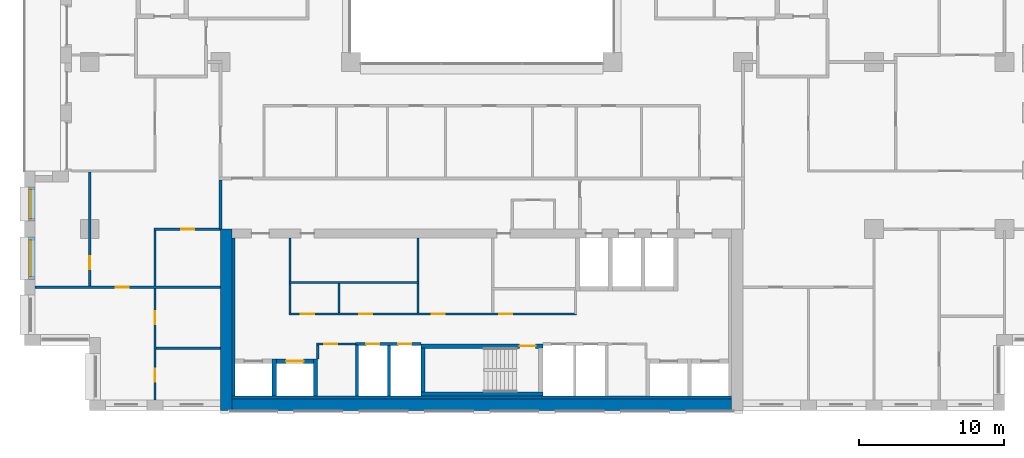
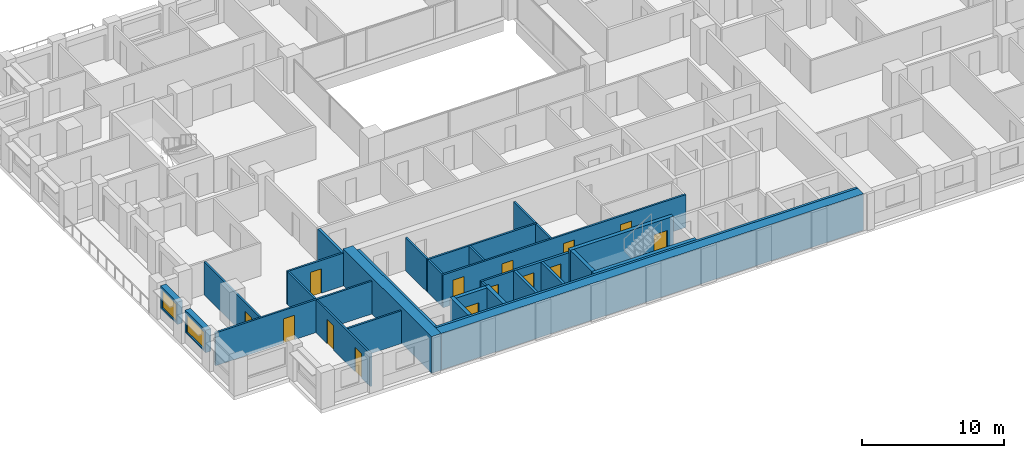
# One storey, part 8 of 17: 31 walls, 14 doors, 2 windows, 16 openings.
"""IFC4 building model written with IfcOpenShell, lengths in metres."""

from ifc_helpers import new_model, si_unit, direction, frame, frame_2d, origin, place, context, subcontext, project, spatial, rectangle, extrude, material, layer, layer_set, type_object, element, fill, save


model = new_model("IFC4")

# Units and contexts
model_context = context("Model", 3, precision=1e-05, world=origin(), true_north=direction((0.0, 1.0)))
body_context = subcontext(model_context, "Body", "Model", "MODEL_VIEW")
ifc_project = project(units=[si_unit("LENGTHUNIT", "METRE"), si_unit("AREAUNIT", "SQUARE_METRE"), si_unit("VOLUMEUNIT", "CUBIC_METRE"), si_unit("PLANEANGLEUNIT", "RADIAN"), si_unit("MASSUNIT", "GRAM", prefix="KILO")], contexts=[model_context])

# Site, building, storey
site_placement = place(None, origin())
site = spatial("IfcSite", under=ifc_project, at=site_placement, CompositionType="ELEMENT")
building_placement = place(site_placement, origin())
building = spatial("IfcBuilding", under=site, at=building_placement, Name="Brigalow Station Residences", CompositionType="ELEMENT")
storey_placement = place(building_placement, frame((0.0, 0.0, 96.14990234375)))
storey = spatial("IfcBuildingStorey", under=building, at=storey_placement, Name="L27", CompositionType="ELEMENT", Elevation=96.14990234375)

# Wall, opening, window
ifc_material_1 = material(Name="Clay brick masonry", Category="masonry")
ifc_layer_1 = layer(ifc_material_1, 0.449951171875)
ifc_layer_set_1 = layer_set([ifc_layer_1], Name="BRICK INFILL WALL 450")
wall_type_1 = type_object("IfcWallType", Name="BRICK INFILL WALL 450", PredefinedType="SOLIDWALL", material=ifc_layer_set_1)
wall_1_placement = place(storey_placement, frame((5.02490234375, 15.39990234375, 0.900146484375), z_axis=(0.0, 0.0, 1.0), x_axis=(0.0, -1.0, 0.0)))
wall_1 = element("IfcWall", 1, at=wall_1_placement, inside=storey, type_object=wall_type_1, Name="L27/ewall/W-L27-47", PredefinedType="SOLIDWALL", context=body_context, shape_type="SweptSolid", body=[
    extrude(rectangle(XDim=2.349853515625, YDim=0.449951171875, at=frame_2d((1.1748046875, 0.0))), origin(), (0.0, 0.0, 1.0), 1.929931640625),
])
opening_1_placement = place(wall_1_placement, frame((0.175048828125, 0.0, 0.14990234375)))
opening_1 = element("IfcOpeningElement", 2, at=opening_1_placement, cuts=wall_1, Name="Opening WT-7", PredefinedType="OPENING", context=body_context, shape_type="SweptSolid", body=[
    extrude(rectangle(XDim=2.0, YDim=1.5, at=frame_2d((1.0, 0.75))), frame((0.0, 0.23486328125, 0.0), z_axis=(0.0, -1.0, 0.0), x_axis=(1.0, 0.0, 0.0)), (0.0, 0.0, 1.0), 0.469970703125),
])
ifc_material_2 = material(Name="Anodised aluminium frame with double glazing", Category="aluminium")
window_type_1 = type_object("IfcWindowType", Name="WINDOW 2000x1500", PartitioningType="SINGLE_PANEL", PredefinedType="WINDOW", material=ifc_material_2)
window_1_placement = place(opening_1_placement, origin())
window_1 = element("IfcWindow", 3, at=window_1_placement, inside=storey, type_object=window_type_1, Name="L27/window/W-L27-47", OverallHeight=1.5, OverallWidth=2.0, PartitioningType="SINGLE_PANEL", PredefinedType="WINDOW", context=body_context, shape_type="SweptSolid", body=[
    extrude(rectangle(XDim=2.0, YDim=1.5, at=frame_2d((1.0, 0.75))), frame((0.0, -0.06494140625, 0.0), z_axis=(0.0, -1.0, 0.0), x_axis=(1.0, 0.0, 0.0)), (0.0, 0.0, 1.0), 0.06005859375),
])
fill(opening_1, window_1)

wall_2_placement = place(storey_placement, frame((5.02490234375, 11.949951171875, 0.900146484375), z_axis=(0.0, 0.0, 1.0), x_axis=(0.0, -1.0, 0.0)))
wall_2 = element("IfcWall", 4, at=wall_2_placement, inside=storey, type_object=wall_type_1, Name="L27/ewall/W-L27-48", PredefinedType="SOLIDWALL", context=body_context, shape_type="SweptSolid", body=[
    extrude(rectangle(XDim=2.89990234375, YDim=0.449951171875, at=frame_2d((1.449951171875, 0.0))), origin(), (0.0, 0.0, 1.0), 1.929931640625),
])
opening_2_placement = place(wall_2_placement, frame((0.199951171875, 0.0, 0.14990234375)))
opening_2 = element("IfcOpeningElement", 5, at=opening_2_placement, cuts=wall_2, Name="Opening WT-5", PredefinedType="OPENING", context=body_context, shape_type="SweptSolid", body=[
    extrude(rectangle(XDim=2.5, YDim=1.5, at=frame_2d((1.25, 0.75))), frame((0.0, 0.23486328125, 0.0), z_axis=(0.0, -1.0, 0.0), x_axis=(1.0, 0.0, 0.0)), (0.0, 0.0, 1.0), 0.469970703125),
])
ifc_material_3 = material(Name="Anodised aluminium frame with double glazing", Category="aluminium")
window_type_2 = type_object("IfcWindowType", Name="WINDOW 2500x1500", PartitioningType="SINGLE_PANEL", PredefinedType="WINDOW", material=ifc_material_3)
window_2_placement = place(opening_2_placement, origin())
window_2 = element("IfcWindow", 6, at=window_2_placement, inside=storey, type_object=window_type_2, Name="L27/window/W-L27-48", OverallHeight=1.5, OverallWidth=2.5, PartitioningType="SINGLE_PANEL", PredefinedType="WINDOW", context=body_context, shape_type="SweptSolid", body=[
    extrude(rectangle(XDim=2.5, YDim=1.5, at=frame_2d((1.25, 0.75))), frame((0.0, -0.06494140625, 0.0), z_axis=(0.0, -1.0, 0.0), x_axis=(1.0, 0.0, 0.0)), (0.0, 0.0, 1.0), 0.06005859375),
])
fill(opening_2, window_2)

# Walls
ifc_material_4 = material(Name="Concrete C65", Category="concrete")
ifc_layer_2 = layer(ifc_material_4, 0.199951171875)
ifc_layer_set_2 = layer_set([ifc_layer_2], Name="CORE SHEAR WALL 200 C65")
wall_type_2 = type_object("IfcWallType", Name="CORE SHEAR WALL 200 C65", PredefinedType="SHEAR", material=ifc_layer_set_2)
wall_3_placement = place(storey_placement, frame((18.89990234375, 1.0, 0.0), z_axis=(0.0, 0.0, 1.0), x_axis=(0.0, 1.0, 0.0)))
element("IfcWall", 7, at=wall_3_placement, inside=storey, type_object=wall_type_2, Name="CORE WALL LIN-W L27", PredefinedType="SHEAR", context=body_context, shape_type="SweptSolid", body=[
    extrude(rectangle(XDim=10.89990234375, YDim=0.199951171875, at=frame_2d((5.449951171875, 0.0))), origin(), (0.0, 0.0, 1.0), 3.150146484375),
])
wall_4_placement = place(storey_placement, frame((18.800048828125, 0.89990234375, 0.0), z_axis=(0.0, 0.0, 1.0), x_axis=(1.0, 0.0, 0.0)))
element("IfcWall", 8, at=wall_4_placement, inside=storey, type_object=wall_type_2, Name="CORE WALL LIN-S L27", PredefinedType="SHEAR", context=body_context, shape_type="SweptSolid", body=[
    extrude(rectangle(XDim=34.39990234375, YDim=0.199951171875, at=frame_2d((17.199951171875, 0.0))), origin(), (0.0, 0.0, 1.0), 3.150146484375),
])

# Wall, opening, door
ifc_material_5 = material(Name="Concrete C65", Category="concrete")
ifc_layer_3 = layer(ifc_material_5, 0.300048828125)
ifc_layer_set_3 = layer_set([ifc_layer_3], Name="CORE SHEAR WALL 300 C65")
wall_type_3 = type_object("IfcWallType", Name="CORE SHEAR WALL 300 C65", PredefinedType="SHEAR", material=ifc_layer_set_3)
wall_5_placement = place(storey_placement, frame((21.85009765625, 3.39990234375, 0.0), z_axis=(0.0, 0.0, 1.0), x_axis=(1.0, 0.0, 0.0)))
wall_5 = element("IfcWall", 9, at=wall_5_placement, inside=storey, type_object=wall_type_3, Name="CORE WALL SH-C2-N L27", PredefinedType="SHEAR", context=body_context, shape_type="SweptSolid", body=[
    extrude(rectangle(XDim=2.5498046875, YDim=0.300048828125, at=frame_2d((1.27490234375, 0.0))), origin(), (0.0, 0.0, 1.0), 3.150146484375),
])
opening_3_placement = place(wall_5_placement, frame((0.675048828125, 0.0, 0.0)))
opening_3 = element("IfcOpeningElement", 10, at=opening_3_placement, cuts=wall_5, Name="Opening LD-LB2", PredefinedType="OPENING", context=body_context, shape_type="SweptSolid", body=[
    extrude(rectangle(XDim=1.199951171875, YDim=2.10009765625, at=frame_2d((0.60009765625, 1.050048828125))), frame((0.0, 0.16015625, 0.0), z_axis=(0.0, -1.0, 0.0), x_axis=(1.0, 0.0, 0.0)), (0.0, 0.0, 1.0), 0.320068359375),
])
ifc_material_6 = material(Name="Stainless steel sliding door leaves", Category="steel")
door_type_1 = type_object("IfcDoorType", Name="LIFT LANDING DOOR 1200 x 2100", OperationType="DOUBLE_DOOR_SLIDING", PredefinedType="DOOR", material=ifc_material_6)
door_1_placement = place(opening_3_placement, origin())
door_1 = element("IfcDoor", 11, at=door_1_placement, inside=storey, type_object=door_type_1, Name="LANDING DOOR LB2", OperationType="DOUBLE_DOOR_SLIDING", OverallHeight=2.10009765625, OverallWidth=1.199951171875, PredefinedType="DOOR", context=body_context, shape_type="SweptSolid", body=[
    extrude(rectangle(XDim=1.199951171875, YDim=2.10009765625, at=frame_2d((0.60009765625, 1.050048828125))), frame((0.0, 0.02490234375, 0.0), z_axis=(0.0, -1.0, 0.0), x_axis=(1.0, 0.0, 0.0)), (0.0, 0.0, 1.0), 0.050048828125),
])
fill(opening_3, door_1)

# Walls
for number, where, z_axis, x_axis, name in (
    (12, (21.699951171875, 1.0, 0.0), (0.0, 0.0, 1.0), (0.0, 1.0, 0.0), "CORE WALL SH-C2-W L27"),
    (13, (24.550048828125, 1.0, 0.0), (0.0, 0.0, 1.0), (0.0, 1.0, 0.0), "CORE WALL SH-C2-E L27"),
):
    element("IfcWall", number, at=place(storey_placement, frame(where, z_axis=z_axis, x_axis=x_axis)), inside=storey, type_object=wall_type_3, Name=name, PredefinedType="SHEAR", context=body_context, shape_type="SweptSolid", body=[
        extrude(rectangle(XDim=2.550048828125, YDim=0.300048828125, at=frame_2d((1.27490234375, 0.0))), origin(), (0.0, 0.0, 1.0), 3.150146484375),
    ])
wall_6_placement = place(storey_placement, frame((31.800048828125, 1.14990234375, 0.0), z_axis=(0.0, 0.0, 1.0), x_axis=(1.0, 0.0, 0.0)))
element("IfcWall", 14, at=wall_6_placement, inside=storey, type_object=wall_type_3, Name="CORE WALL ST-S2-S L27", PredefinedType="SHEAR", context=body_context, shape_type="SweptSolid", body=[
    extrude(rectangle(XDim=8.39990234375, YDim=0.300048828125, at=frame_2d((4.199951171875, 0.0))), origin(), (0.0, 0.0, 1.0), 3.150146484375),
])

# Wall, opening, door
wall_7_placement = place(storey_placement, frame((31.800048828125, 4.449951171875, 0.0), z_axis=(0.0, 0.0, 1.0), x_axis=(1.0, 0.0, 0.0)))
wall_7 = element("IfcWall", 15, at=wall_7_placement, inside=storey, type_object=wall_type_3, Name="CORE WALL ST-S2-N L27", PredefinedType="SHEAR", context=body_context, shape_type="SweptSolid", body=[
    extrude(rectangle(XDim=8.39990234375, YDim=0.300048828125, at=frame_2d((4.199951171875, 0.0))), origin(), (0.0, 0.0, 1.0), 3.150146484375),
])
opening_4_placement = place(wall_7_placement, frame((6.800048828125, 0.0, 0.0)))
opening_4 = element("IfcOpeningElement", 16, at=opening_4_placement, cuts=wall_7, Name="Opening D-5001", PredefinedType="OPENING", context=body_context, shape_type="SweptSolid", body=[
    extrude(rectangle(XDim=1.10009765625, YDim=2.10009765625, at=frame_2d((0.550048828125, 1.050048828125))), frame((0.0, 0.16015625, 0.0), z_axis=(0.0, -1.0, 0.0), x_axis=(1.0, 0.0, 0.0)), (0.0, 0.0, 1.0), 0.320068359375),
])
ifc_material_7 = material(Name="Steel fire door leaf in steel frame", Category="steel")
door_type_2 = type_object("IfcDoorType", Name="STAIR DOOR 1100 x 2100 FD60S", OperationType="SINGLE_SWING_LEFT", PredefinedType="DOOR", material=ifc_material_7)
door_2_placement = place(opening_4_placement, frame((1.10009765625, 0.0, 0.0), z_axis=(0.0, 0.0, 1.0), x_axis=(-1.0, 0.0, 0.0)))
door_2 = element("IfcDoor", 17, at=door_2_placement, inside=storey, type_object=door_type_2, Name="D-5001", OperationType="SINGLE_SWING_LEFT", OverallHeight=2.10009765625, OverallWidth=1.10009765625, PredefinedType="DOOR", context=body_context, shape_type="SweptSolid", body=[
    extrude(rectangle(XDim=1.10009765625, YDim=2.10009765625, at=frame_2d((0.550048828125, 1.050048828125))), frame((0.0, 0.02490234375, 0.0), z_axis=(0.0, -1.0, 0.0), x_axis=(1.0, 0.0, 0.0)), (0.0, 0.0, 1.0), 0.050048828125),
])
fill(opening_4, door_2)

# Walls
wall_8_placement = place(storey_placement, frame((31.949951171875, 1.300048828125, 0.0), z_axis=(0.0, 0.0, 1.0), x_axis=(0.0, 1.0, 0.0)))
element("IfcWall", 18, at=wall_8_placement, inside=storey, type_object=wall_type_3, Name="CORE WALL ST-S2-W L27", PredefinedType="SHEAR", context=body_context, shape_type="SweptSolid", body=[
    extrude(rectangle(XDim=3.0, YDim=0.300048828125, at=frame_2d((1.5, 0.0))), origin(), (0.0, 0.0, 1.0), 3.150146484375),
])
ifc_material_8 = material(Name="Concrete C65", Category="concrete")
ifc_layer_4 = layer(ifc_material_8, 0.800048828125)
ifc_layer_set_4 = layer_set([ifc_layer_4], Name="CORE SHEAR WALL 800 C65")
wall_type_4 = type_object("IfcWallType", Name="CORE SHEAR WALL 800 C65", PredefinedType="SHEAR", material=ifc_layer_set_4)
wall_9_placement = place(storey_placement, frame((18.39990234375, 0.0, 0.0), z_axis=(0.0, 0.0, 1.0), x_axis=(0.0, 1.0, 0.0)))
element("IfcWall", 19, at=wall_9_placement, inside=storey, type_object=wall_type_4, Name="CORE WALL OUT-W L27", PredefinedType="SHEAR", context=body_context, shape_type="SweptSolid", body=[
    extrude(rectangle(XDim=12.5, YDim=0.800048828125, at=frame_2d((6.25, 0.0))), origin(), (0.0, 0.0, 1.0), 3.150146484375),
])
wall_10_placement = place(storey_placement, frame((18.800048828125, 0.39990234375, 0.0), z_axis=(0.0, 0.0, 1.0), x_axis=(1.0, 0.0, 0.0)))
element("IfcWall", 20, at=wall_10_placement, inside=storey, type_object=wall_type_4, Name="CORE WALL OUT-S L27", PredefinedType="SHEAR", context=body_context, shape_type="SweptSolid", body=[
    extrude(rectangle(XDim=34.39990234375, YDim=0.800048828125, at=frame_2d((17.199951171875, 0.0))), origin(), (0.0, 0.0, 1.0), 3.150146484375),
])

# Wall, openings, doors
ifc_material_9 = material(Name="Concrete blockwork", Category="masonry")
ifc_layer_5 = layer(ifc_material_9, 0.199951171875)
ifc_layer_set_5 = layer_set([ifc_layer_5], Name="FIRE RATED CORE PARTITION 200")
wall_type_5 = type_object("IfcWallType", Name="FIRE RATED CORE PARTITION 200", PredefinedType="PARTITIONING", material=ifc_layer_set_5)
wall_11_placement = place(storey_placement, frame((27.300048828125, 4.60009765625, 0.0), z_axis=(0.0, 0.0, 1.0), x_axis=(1.0, 0.0, 0.0)))
wall_11 = element("IfcWall", 21, at=wall_11_placement, inside=storey, type_object=wall_type_5, Name="PW-5017", PredefinedType="PARTITIONING", context=body_context, shape_type="SweptSolid", body=[
    extrude(rectangle(XDim=4.5, YDim=0.199951171875, at=frame_2d((2.25, 0.0))), origin(), (0.0, 0.0, 1.0), 2.830078125),
])
opening_5_placement = place(wall_11_placement, frame((0.75, 0.0, 0.0)))
opening_5 = element("IfcOpeningElement", 22, at=opening_5_placement, cuts=wall_11, Name="Opening D-5007", PredefinedType="OPENING", context=body_context, shape_type="SweptSolid", body=[
    extrude(rectangle(XDim=0.89990234375, YDim=2.10009765625, at=frame_2d((0.449951171875, 1.050048828125))), frame((0.0, 0.10986328125, 0.0), z_axis=(0.0, -1.0, 0.0), x_axis=(1.0, 0.0, 0.0)), (0.0, 0.0, 1.0), 0.219970703125),
])
opening_6_placement = place(wall_11_placement, frame((2.949951171875, 0.0, 0.0)))
opening_6 = element("IfcOpeningElement", 23, at=opening_6_placement, cuts=wall_11, Name="Opening D-5008", PredefinedType="OPENING", context=body_context, shape_type="SweptSolid", body=[
    extrude(rectangle(XDim=0.89990234375, YDim=2.10009765625, at=frame_2d((0.449951171875, 1.050048828125))), frame((0.0, 0.10986328125, 0.0), z_axis=(0.0, -1.0, 0.0), x_axis=(1.0, 0.0, 0.0)), (0.0, 0.0, 1.0), 0.219970703125),
])
ifc_material_10 = material(Name="Steel fire door leaf in steel frame", Category="steel")
door_type_3 = type_object("IfcDoorType", Name="RISER ACCESS DOOR 900 x 2100 FD120", OperationType="SINGLE_SWING_LEFT", PredefinedType="DOOR", material=ifc_material_10)
door_3_placement = place(opening_5_placement, frame((0.89990234375, 0.0, 0.0), z_axis=(0.0, 0.0, 1.0), x_axis=(-1.0, 0.0, 0.0)))
door_3 = element("IfcDoor", 24, at=door_3_placement, inside=storey, type_object=door_type_3, Name="D-5007", OperationType="SINGLE_SWING_RIGHT", OverallHeight=2.10009765625, OverallWidth=0.89990234375, PredefinedType="DOOR", context=body_context, shape_type="SweptSolid", body=[
    extrude(rectangle(XDim=0.89990234375, YDim=2.10009765625, at=frame_2d((0.449951171875, 1.050048828125))), frame((0.0, 0.02490234375, 0.0), z_axis=(0.0, -1.0, 0.0), x_axis=(1.0, 0.0, 0.0)), (0.0, 0.0, 1.0), 0.050048828125),
])
fill(opening_5, door_3)
door_4_placement = place(opening_6_placement, frame((0.89990234375, 0.0, 0.0), z_axis=(0.0, 0.0, 1.0), x_axis=(-1.0, 0.0, 0.0)))
door_4 = element("IfcDoor", 25, at=door_4_placement, inside=storey, type_object=door_type_3, Name="D-5008", OperationType="SINGLE_SWING_RIGHT", OverallHeight=2.10009765625, OverallWidth=0.89990234375, PredefinedType="DOOR", context=body_context, shape_type="SweptSolid", body=[
    extrude(rectangle(XDim=0.89990234375, YDim=2.10009765625, at=frame_2d((0.449951171875, 1.050048828125))), frame((0.0, 0.02490234375, 0.0), z_axis=(0.0, -1.0, 0.0), x_axis=(1.0, 0.0, 0.0)), (0.0, 0.0, 1.0), 0.050048828125),
])
fill(opening_6, door_4)

# Walls
wall_12_placement = place(storey_placement, frame((27.39990234375, 1.0, 0.0), z_axis=(0.0, 0.0, 1.0), x_axis=(0.0, 1.0, 0.0)))
element("IfcWall", 26, at=wall_12_placement, inside=storey, type_object=wall_type_5, Name="PW-5027", PredefinedType="PARTITIONING", context=body_context, shape_type="SweptSolid", body=[
    extrude(rectangle(XDim=3.52490234375, YDim=0.199951171875, at=frame_2d((1.762451171875, 0.0))), origin(), (0.0, 0.0, 1.0), 2.830078125),
])
wall_13_placement = place(storey_placement, frame((29.60009765625, 1.0, 0.0), z_axis=(0.0, 0.0, 1.0), x_axis=(0.0, 1.0, 0.0)))
element("IfcWall", 27, at=wall_13_placement, inside=storey, type_object=wall_type_5, Name="PW-5006", PredefinedType="PARTITIONING", context=body_context, shape_type="SweptSolid", body=[
    extrude(rectangle(XDim=3.5, YDim=0.199951171875, at=frame_2d((1.75, 0.0))), origin(), (0.0, 0.0, 1.0), 2.830078125),
])
wall_14_placement = place(storey_placement, frame((18.0, 12.5, 0.0), z_axis=(0.0, 0.0, 1.0), x_axis=(0.0, 1.0, 0.0)))
element("IfcWall", 28, at=wall_14_placement, inside=storey, type_object=wall_type_5, Name="PW-5013", PredefinedType="PARTITIONING", context=body_context, shape_type="SweptSolid", body=[
    extrude(rectangle(XDim=3.39990234375, YDim=0.199951171875, at=frame_2d((1.699951171875, 0.0))), origin(), (0.0, 0.0, 1.0), 2.830078125),
])

# Wall, opening, door
ifc_material_11 = material(Name="Plasterboard on steel stud partition", Category="steel")
ifc_layer_6 = layer(ifc_material_11, 0.14990234375)
ifc_layer_set_6 = layer_set([ifc_layer_6], Name="FLAT PARTITION 150")
wall_type_6 = type_object("IfcWallType", Name="FLAT PARTITION 150", PredefinedType="PARTITIONING", material=ifc_layer_set_6)
wall_15_placement = place(storey_placement, frame((5.25, 8.5, 0.0), z_axis=(0.0, 0.0, 1.0), x_axis=(1.0, 0.0, 0.0)))
wall_15 = element("IfcWall", 29, at=wall_15_placement, inside=storey, type_object=wall_type_6, Name="PW-2B11", PredefinedType="PARTITIONING", context=body_context, shape_type="SweptSolid", body=[
    extrude(rectangle(XDim=12.75, YDim=0.14990234375, at=frame_2d((6.375, 0.0))), origin(), (0.0, 0.0, 1.0), 2.830078125),
])
opening_7_placement = place(wall_15_placement, frame((5.550048828125, 0.0, 0.0)))
opening_7 = element("IfcOpeningElement", 30, at=opening_7_placement, cuts=wall_15, Name="Opening D-2B04", PredefinedType="OPENING", context=body_context, shape_type="SweptSolid", body=[
    extrude(rectangle(XDim=0.89990234375, YDim=2.10009765625, at=frame_2d((0.449951171875, 1.050048828125))), frame((0.0, 0.0849609375, 0.0), z_axis=(0.0, -1.0, 0.0), x_axis=(1.0, 0.0, 0.0)), (0.0, 0.0, 1.0), 0.169921875),
])
ifc_material_12 = material(Name="Solid-core timber door leaf", Category="wood")
door_type_4 = type_object("IfcDoorType", Name="INTERNAL DOOR 900 x 2100", OperationType="SINGLE_SWING_LEFT", PredefinedType="DOOR", material=ifc_material_12)
door_5_placement = place(opening_7_placement, frame((0.89990234375, 0.0, 0.0), z_axis=(0.0, 0.0, 1.0), x_axis=(-1.0, 0.0, 0.0)))
door_5 = element("IfcDoor", 31, at=door_5_placement, inside=storey, type_object=door_type_4, Name="D-2B04", OperationType="SINGLE_SWING_LEFT", OverallHeight=2.10009765625, OverallWidth=0.89990234375, PredefinedType="DOOR", context=body_context, shape_type="SweptSolid", body=[
    extrude(rectangle(XDim=0.89990234375, YDim=2.10009765625, at=frame_2d((0.449951171875, 1.050048828125))), frame((0.0, 0.02490234375, 0.0), z_axis=(0.0, -1.0, 0.0), x_axis=(1.0, 0.0, 0.0)), (0.0, 0.0, 1.0), 0.050048828125),
])
fill(opening_7, door_5)

# Wall
wall_16_placement = place(storey_placement, frame((13.574951171875, 4.300048828125, 0.0), z_axis=(0.0, 0.0, 1.0), x_axis=(1.0, 0.0, 0.0)))
element("IfcWall", 32, at=wall_16_placement, inside=storey, type_object=wall_type_6, Name="PW-2B13", PredefinedType="PARTITIONING", context=body_context, shape_type="SweptSolid", body=[
    extrude(rectangle(XDim=4.425048828125, YDim=0.14990234375, at=frame_2d((2.21240234375, 0.0))), origin(), (0.0, 0.0, 1.0), 2.830078125),
])

# Wall, opening, door
wall_17_placement = place(storey_placement, frame((13.425048828125, 12.5, 0.0), z_axis=(0.0, 0.0, 1.0), x_axis=(1.0, 0.0, 0.0)))
wall_17 = element("IfcWall", 33, at=wall_17_placement, inside=storey, type_object=wall_type_6, Name="PW-2B16", PredefinedType="PARTITIONING", context=body_context, shape_type="SweptSolid", body=[
    extrude(rectangle(XDim=4.574951171875, YDim=0.14990234375, at=frame_2d((2.28759765625, 0.0))), origin(), (0.0, 0.0, 1.0), 2.830078125),
])
opening_8_placement = place(wall_17_placement, frame((1.875, 0.0, 0.0)))
opening_8 = element("IfcOpeningElement", 34, at=opening_8_placement, cuts=wall_17, Name="Opening D-2B08", PredefinedType="OPENING", context=body_context, shape_type="SweptSolid", body=[
    extrude(rectangle(XDim=0.89990234375, YDim=2.10009765625, at=frame_2d((0.449951171875, 1.050048828125))), frame((0.0, 0.0849609375, 0.0), z_axis=(0.0, -1.0, 0.0), x_axis=(1.0, 0.0, 0.0)), (0.0, 0.0, 1.0), 0.169921875),
])
door_6_placement = place(opening_8_placement, frame((0.89990234375, 0.0, 0.0), z_axis=(0.0, 0.0, 1.0), x_axis=(-1.0, 0.0, 0.0)))
door_6 = element("IfcDoor", 35, at=door_6_placement, inside=storey, type_object=door_type_4, Name="D-2B08", OperationType="SINGLE_SWING_RIGHT", OverallHeight=2.10009765625, OverallWidth=0.89990234375, PredefinedType="DOOR", context=body_context, shape_type="SweptSolid", body=[
    extrude(rectangle(XDim=0.89990234375, YDim=2.10009765625, at=frame_2d((0.449951171875, 1.050048828125))), frame((0.0, 0.02490234375, 0.0), z_axis=(0.0, -1.0, 0.0), x_axis=(1.0, 0.0, 0.0)), (0.0, 0.0, 1.0), 0.050048828125),
])
fill(opening_8, door_6)

# Wall, openings, doors
wall_18_placement = place(storey_placement, frame((13.5, 0.75, 0.0), z_axis=(0.0, 0.0, 1.0), x_axis=(0.0, 1.0, 0.0)))
wall_18 = element("IfcWall", 36, at=wall_18_placement, inside=storey, type_object=wall_type_6, Name="PW-2B45", PredefinedType="PARTITIONING", context=body_context, shape_type="SweptSolid", body=[
    extrude(rectangle(XDim=7.675048828125, YDim=0.14990234375, at=frame_2d((3.83740234375, 0.0))), origin(), (0.0, 0.0, 1.0), 2.830078125),
])
opening_9_placement = place(wall_18_placement, frame((1.25, 0.0, 0.0)))
opening_9 = element("IfcOpeningElement", 37, at=opening_9_placement, cuts=wall_18, Name="Opening D-2B05", PredefinedType="OPENING", context=body_context, shape_type="SweptSolid", body=[
    extrude(rectangle(XDim=0.89990234375, YDim=2.10009765625, at=frame_2d((0.449951171875, 1.050048828125))), frame((0.0, 0.0849609375, 0.0), z_axis=(0.0, -1.0, 0.0), x_axis=(1.0, 0.0, 0.0)), (0.0, 0.0, 1.0), 0.169921875),
])
opening_10_placement = place(wall_18_placement, frame((5.199951171875, 0.0, 0.0)))
opening_10 = element("IfcOpeningElement", 38, at=opening_10_placement, cuts=wall_18, Name="Opening D-2B06", PredefinedType="OPENING", context=body_context, shape_type="SweptSolid", body=[
    extrude(rectangle(XDim=0.89990234375, YDim=2.10009765625, at=frame_2d((0.449951171875, 1.050048828125))), frame((0.0, 0.0849609375, 0.0), z_axis=(0.0, -1.0, 0.0), x_axis=(1.0, 0.0, 0.0)), (0.0, 0.0, 1.0), 0.169921875),
])
door_7_placement = place(opening_9_placement, frame((0.89990234375, 0.0, 0.0), z_axis=(0.0, 0.0, 1.0), x_axis=(-1.0, 0.0, 0.0)))
door_7 = element("IfcDoor", 39, at=door_7_placement, inside=storey, type_object=door_type_4, Name="D-2B05", OperationType="SINGLE_SWING_RIGHT", OverallHeight=2.10009765625, OverallWidth=0.89990234375, PredefinedType="DOOR", context=body_context, shape_type="SweptSolid", body=[
    extrude(rectangle(XDim=0.89990234375, YDim=2.10009765625, at=frame_2d((0.449951171875, 1.050048828125))), frame((0.0, 0.02490234375, 0.0), z_axis=(0.0, -1.0, 0.0), x_axis=(1.0, 0.0, 0.0)), (0.0, 0.0, 1.0), 0.050048828125),
])
fill(opening_9, door_7)
door_8_placement = place(opening_10_placement, frame((0.89990234375, 0.0, 0.0), z_axis=(0.0, 0.0, 1.0), x_axis=(-1.0, 0.0, 0.0)))
door_8 = element("IfcDoor", 40, at=door_8_placement, inside=storey, type_object=door_type_4, Name="D-2B06", OperationType="SINGLE_SWING_LEFT", OverallHeight=2.10009765625, OverallWidth=0.89990234375, PredefinedType="DOOR", context=body_context, shape_type="SweptSolid", body=[
    extrude(rectangle(XDim=0.89990234375, YDim=2.10009765625, at=frame_2d((0.449951171875, 1.050048828125))), frame((0.0, 0.02490234375, 0.0), z_axis=(0.0, -1.0, 0.0), x_axis=(1.0, 0.0, 0.0)), (0.0, 0.0, 1.0), 0.050048828125),
])
fill(opening_10, door_8)

# Wall
wall_19_placement = place(storey_placement, frame((13.5, 8.574951171875, 0.0), z_axis=(0.0, 0.0, 1.0), x_axis=(0.0, 1.0, 0.0)))
element("IfcWall", 41, at=wall_19_placement, inside=storey, type_object=wall_type_6, Name="PW-2B46", PredefinedType="PARTITIONING", context=body_context, shape_type="SweptSolid", body=[
    extrude(rectangle(XDim=3.85009765625, YDim=0.14990234375, at=frame_2d((1.925048828125, 0.0))), origin(), (0.0, 0.0, 1.0), 2.830078125),
])

# Wall, opening, door
wall_20_placement = place(storey_placement, frame((9.0, 8.574951171875, 0.0), z_axis=(0.0, 0.0, 1.0), x_axis=(0.0, 1.0, 0.0)))
wall_20 = element("IfcWall", 42, at=wall_20_placement, inside=storey, type_object=wall_type_6, Name="PW-2B49", PredefinedType="PARTITIONING", context=body_context, shape_type="SweptSolid", body=[
    extrude(rectangle(XDim=7.85009765625, YDim=0.14990234375, at=frame_2d((3.925048828125, 0.0))), origin(), (0.0, 0.0, 1.0), 2.830078125),
])
opening_11_placement = place(wall_20_placement, frame((1.14990234375, 0.0, 0.0)))
opening_11 = element("IfcOpeningElement", 43, at=opening_11_placement, cuts=wall_20, Name="Opening D-2B07", PredefinedType="OPENING", context=body_context, shape_type="SweptSolid", body=[
    extrude(rectangle(XDim=0.89990234375, YDim=2.10009765625, at=frame_2d((0.449951171875, 1.050048828125))), frame((0.0, 0.0849609375, 0.0), z_axis=(0.0, -1.0, 0.0), x_axis=(1.0, 0.0, 0.0)), (0.0, 0.0, 1.0), 0.169921875),
])
door_9_placement = place(opening_11_placement, origin())
door_9 = element("IfcDoor", 44, at=door_9_placement, inside=storey, type_object=door_type_4, Name="D-2B07", OperationType="SINGLE_SWING_LEFT", OverallHeight=2.10009765625, OverallWidth=0.89990234375, PredefinedType="DOOR", context=body_context, shape_type="SweptSolid", body=[
    extrude(rectangle(XDim=0.89990234375, YDim=2.10009765625, at=frame_2d((0.449951171875, 1.050048828125))), frame((0.0, 0.02490234375, 0.0), z_axis=(0.0, -1.0, 0.0), x_axis=(1.0, 0.0, 0.0)), (0.0, 0.0, 1.0), 0.050048828125),
])
fill(opening_11, door_9)

ifc_material_13 = material(Name="Plasterboard on steel studs", Category="steel")
ifc_layer_7 = layer(ifc_material_13, 0.14990234375)
ifc_layer_set_7 = layer_set([ifc_layer_7], Name="SERVICE ROOM PARTITION 150")
wall_type_7 = type_object("IfcWallType", Name="SERVICE ROOM PARTITION 150", PredefinedType="PARTITIONING", material=ifc_layer_set_7)
wall_21_placement = place(storey_placement, frame((24.625, 4.60009765625, 0.0), z_axis=(0.0, 0.0, 1.0), x_axis=(1.0, 0.0, 0.0)))
wall_21 = element("IfcWall", 45, at=wall_21_placement, inside=storey, type_object=wall_type_7, Name="PW-5155", PredefinedType="PARTITIONING", context=body_context, shape_type="SweptSolid", body=[
    extrude(rectangle(XDim=2.675048828125, YDim=0.14990234375, at=frame_2d((1.33740234375, 0.0))), origin(), (0.0, 0.0, 1.0), 2.830078125),
])
opening_12_placement = place(wall_21_placement, frame((0.52490234375, 0.0, 0.0)))
opening_12 = element("IfcOpeningElement", 46, at=opening_12_placement, cuts=wall_21, Name="Opening D-5087", PredefinedType="OPENING", context=body_context, shape_type="SweptSolid", body=[
    extrude(rectangle(XDim=0.89990234375, YDim=2.10009765625, at=frame_2d((0.449951171875, 1.050048828125))), frame((0.0, 0.0849609375, 0.0), z_axis=(0.0, -1.0, 0.0), x_axis=(1.0, 0.0, 0.0)), (0.0, 0.0, 1.0), 0.169921875),
])
ifc_material_14 = material(Name="Steel door leaf in steel frame", Category="steel")
door_type_5 = type_object("IfcDoorType", Name="SERVICE ROOM DOOR 900 x 2100 FD60", OperationType="SINGLE_SWING_LEFT", PredefinedType="DOOR", material=ifc_material_14)
door_10_placement = place(opening_12_placement, frame((0.89990234375, 0.0, 0.0), z_axis=(0.0, 0.0, 1.0), x_axis=(-1.0, 0.0, 0.0)))
door_10 = element("IfcDoor", 47, at=door_10_placement, inside=storey, type_object=door_type_5, Name="D-5087", OperationType="SINGLE_SWING_RIGHT", OverallHeight=2.10009765625, OverallWidth=0.89990234375, PredefinedType="DOOR", context=body_context, shape_type="SweptSolid", body=[
    extrude(rectangle(XDim=0.89990234375, YDim=2.10009765625, at=frame_2d((0.449951171875, 1.050048828125))), frame((0.0, 0.02490234375, 0.0), z_axis=(0.0, -1.0, 0.0), x_axis=(1.0, 0.0, 0.0)), (0.0, 0.0, 1.0), 0.050048828125),
])
fill(opening_12, door_10)

# Wall, openings, doors
wall_22_placement = place(storey_placement, frame((22.72509765625, 6.64990234375, 0.0), z_axis=(0.0, 0.0, 1.0), x_axis=(1.0, 0.0, 0.0)))
wall_22 = element("IfcWall", 48, at=wall_22_placement, inside=storey, type_object=wall_type_7, Name="PW-5195", PredefinedType="PARTITIONING", context=body_context, shape_type="SweptSolid", body=[
    extrude(rectangle(XDim=19.7998046875, YDim=0.14990234375, at=frame_2d((9.89990234375, 0.0))), origin(), (0.0, 0.0, 1.0), 2.830078125),
])
opening_13_placement = place(wall_22_placement, frame((0.824951171875, 0.0, 0.0)))
opening_13 = element("IfcOpeningElement", 49, at=opening_13_placement, cuts=wall_22, Name="Opening D-5110", PredefinedType="OPENING", context=body_context, shape_type="SweptSolid", body=[
    extrude(rectangle(XDim=0.89990234375, YDim=2.10009765625, at=frame_2d((0.449951171875, 1.050048828125))), frame((0.0, 0.0849609375, 0.0), z_axis=(0.0, -1.0, 0.0), x_axis=(1.0, 0.0, 0.0)), (0.0, 0.0, 1.0), 0.169921875),
])
opening_14_placement = place(wall_22_placement, frame((4.824951171875, 0.0, 0.0)))
opening_14 = element("IfcOpeningElement", 50, at=opening_14_placement, cuts=wall_22, Name="Opening D-5116", PredefinedType="OPENING", context=body_context, shape_type="SweptSolid", body=[
    extrude(rectangle(XDim=0.89990234375, YDim=2.10009765625, at=frame_2d((0.449951171875, 1.050048828125))), frame((0.0, 0.0849609375, 0.0), z_axis=(0.0, -1.0, 0.0), x_axis=(1.0, 0.0, 0.0)), (0.0, 0.0, 1.0), 0.169921875),
])
opening_15_placement = place(wall_22_placement, frame((9.824951171875, 0.0, 0.0)))
opening_15 = element("IfcOpeningElement", 51, at=opening_15_placement, cuts=wall_22, Name="Opening D-5117", PredefinedType="OPENING", context=body_context, shape_type="SweptSolid", body=[
    extrude(rectangle(XDim=0.89990234375, YDim=2.10009765625, at=frame_2d((0.449951171875, 1.050048828125))), frame((0.0, 0.0849609375, 0.0), z_axis=(0.0, -1.0, 0.0), x_axis=(1.0, 0.0, 0.0)), (0.0, 0.0, 1.0), 0.169921875),
])
opening_16_placement = place(wall_22_placement, frame((14.47509765625, 0.0, 0.0)))
opening_16 = element("IfcOpeningElement", 52, at=opening_16_placement, cuts=wall_22, Name="Opening D-5114", PredefinedType="OPENING", context=body_context, shape_type="SweptSolid", body=[
    extrude(rectangle(XDim=0.89990234375, YDim=2.10009765625, at=frame_2d((0.449951171875, 1.050048828125))), frame((0.0, 0.0849609375, 0.0), z_axis=(0.0, -1.0, 0.0), x_axis=(1.0, 0.0, 0.0)), (0.0, 0.0, 1.0), 0.169921875),
])
door_11_placement = place(opening_13_placement, origin())
door_11 = element("IfcDoor", 53, at=door_11_placement, inside=storey, type_object=door_type_5, Name="D-5110", OperationType="SINGLE_SWING_LEFT", OverallHeight=2.10009765625, OverallWidth=0.89990234375, PredefinedType="DOOR", context=body_context, shape_type="SweptSolid", body=[
    extrude(rectangle(XDim=0.89990234375, YDim=2.10009765625, at=frame_2d((0.449951171875, 1.050048828125))), frame((0.0, 0.02490234375, 0.0), z_axis=(0.0, -1.0, 0.0), x_axis=(1.0, 0.0, 0.0)), (0.0, 0.0, 1.0), 0.050048828125),
])
fill(opening_13, door_11)
door_12_placement = place(opening_14_placement, origin())
door_12 = element("IfcDoor", 54, at=door_12_placement, inside=storey, type_object=door_type_5, Name="D-5116", OperationType="SINGLE_SWING_LEFT", OverallHeight=2.10009765625, OverallWidth=0.89990234375, PredefinedType="DOOR", context=body_context, shape_type="SweptSolid", body=[
    extrude(rectangle(XDim=0.89990234375, YDim=2.10009765625, at=frame_2d((0.449951171875, 1.050048828125))), frame((0.0, 0.02490234375, 0.0), z_axis=(0.0, -1.0, 0.0), x_axis=(1.0, 0.0, 0.0)), (0.0, 0.0, 1.0), 0.050048828125),
])
fill(opening_14, door_12)
door_13_placement = place(opening_15_placement, origin())
door_13 = element("IfcDoor", 55, at=door_13_placement, inside=storey, type_object=door_type_5, Name="D-5117", OperationType="SINGLE_SWING_LEFT", OverallHeight=2.10009765625, OverallWidth=0.89990234375, PredefinedType="DOOR", context=body_context, shape_type="SweptSolid", body=[
    extrude(rectangle(XDim=0.89990234375, YDim=2.10009765625, at=frame_2d((0.449951171875, 1.050048828125))), frame((0.0, 0.02490234375, 0.0), z_axis=(0.0, -1.0, 0.0), x_axis=(1.0, 0.0, 0.0)), (0.0, 0.0, 1.0), 0.050048828125),
])
fill(opening_15, door_13)
door_14_placement = place(opening_16_placement, origin())
door_14 = element("IfcDoor", 56, at=door_14_placement, inside=storey, type_object=door_type_5, Name="D-5114", OperationType="SINGLE_SWING_LEFT", OverallHeight=2.10009765625, OverallWidth=0.89990234375, PredefinedType="DOOR", context=body_context, shape_type="SweptSolid", body=[
    extrude(rectangle(XDim=0.89990234375, YDim=2.10009765625, at=frame_2d((0.449951171875, 1.050048828125))), frame((0.0, 0.02490234375, 0.0), z_axis=(0.0, -1.0, 0.0), x_axis=(1.0, 0.0, 0.0)), (0.0, 0.0, 1.0), 0.050048828125),
])
fill(opening_16, door_14)

# Walls
wall_23_placement = place(storey_placement, frame((22.72509765625, 8.830078125, 0.0), z_axis=(0.0, 0.0, 1.0), x_axis=(1.0, 0.0, 0.0)))
element("IfcWall", 57, at=wall_23_placement, inside=storey, type_object=wall_type_7, Name="PW-5205", PredefinedType="PARTITIONING", context=body_context, shape_type="SweptSolid", body=[
    extrude(rectangle(XDim=8.9599609375, YDim=0.14990234375, at=frame_2d((4.47998046875, 0.0))), origin(), (0.0, 0.0, 1.0), 2.830078125),
])
wall_24_placement = place(storey_placement, frame((24.699951171875, 3.550048828125, 0.0), z_axis=(0.0, 0.0, 1.0), x_axis=(0.0, 1.0, 0.0)))
element("IfcWall", 58, at=wall_24_placement, inside=storey, type_object=wall_type_7, Name="PW-5157", PredefinedType="PARTITIONING", context=body_context, shape_type="SweptSolid", body=[
    extrude(rectangle(XDim=0.974853515625, YDim=0.14990234375, at=frame_2d((0.4873046875, 0.0))), origin(), (0.0, 0.0, 1.0), 2.830078125),
])
for number, where, z_axis, x_axis, name in (
    (59, (22.800048828125, 6.72509765625, 0.0), (0.0, 0.0, 1.0), (0.0, 1.0, 0.0), "PW-5207"),
    (60, (26.169921875, 6.72509765625, 0.0), (0.0, 0.0, 1.0), (0.0, 1.0, 0.0), "PW-5208"),
    (61, (31.610107421875, 6.72509765625, 0.0), (0.0, 0.0, 1.0), (0.0, 1.0, 0.0), "PW-5209"),
):
    element("IfcWall", number, at=place(storey_placement, frame(where, z_axis=z_axis, x_axis=x_axis)), inside=storey, type_object=wall_type_7, Name=name, PredefinedType="PARTITIONING", context=body_context, shape_type="SweptSolid", body=[
        extrude(rectangle(XDim=2.02978515625, YDim=0.14990234375, at=frame_2d((1.014892578125, 0.0))), origin(), (0.0, 0.0, 1.0), 2.830078125),
    ])
for number, where, z_axis, x_axis, name in (
    (62, (22.800048828125, 8.905029296875, 0.0), (0.0, 0.0, 1.0), (0.0, 1.0, 0.0), "PW-5212"),
    (63, (31.610107421875, 8.905029296875, 0.0), (0.0, 0.0, 1.0), (0.0, 1.0, 0.0), "PW-5213"),
):
    element("IfcWall", number, at=place(storey_placement, frame(where, z_axis=z_axis, x_axis=x_axis)), inside=storey, type_object=wall_type_7, Name=name, PredefinedType="PARTITIONING", context=body_context, shape_type="SweptSolid", body=[
        extrude(rectangle(XDim=2.994873046875, YDim=0.14990234375, at=frame_2d((1.49755859375, 0.0))), origin(), (0.0, 0.0, 1.0), 2.830078125),
    ])

save(model, "model.ifc")
